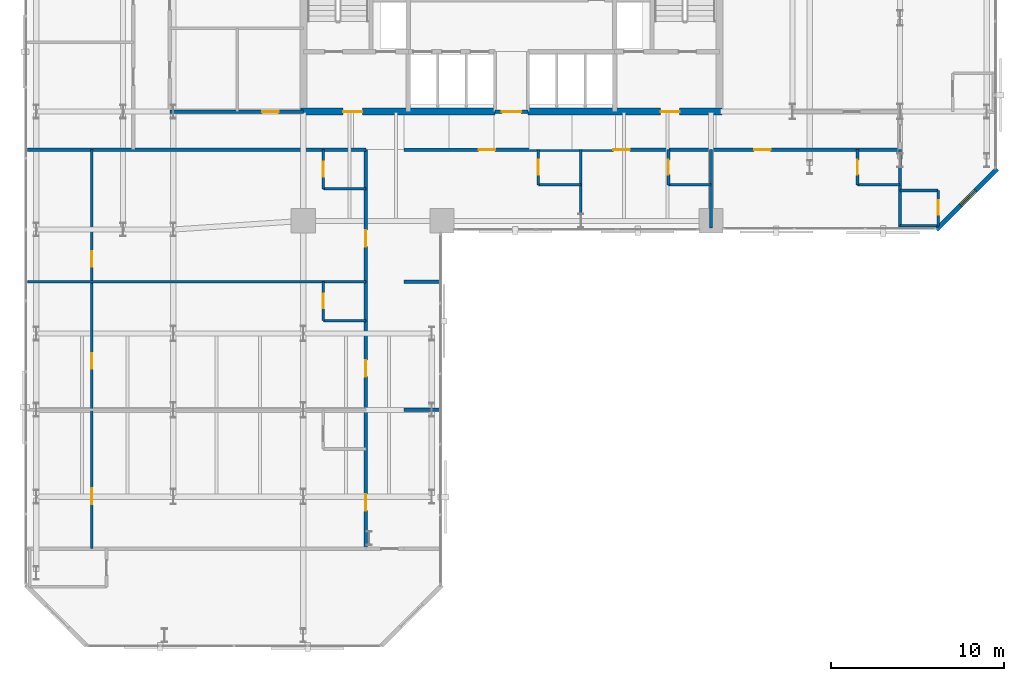
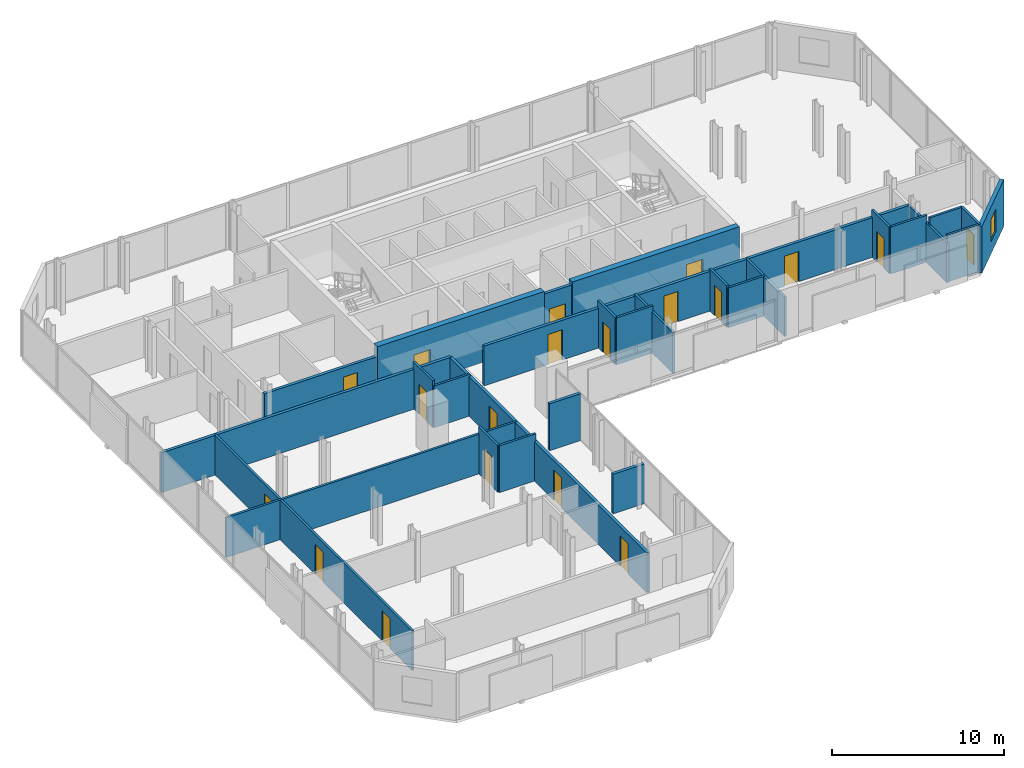
# One storey, part 29 of 33: 28 walls, 19 doors, 1 window, 20 openings.
"""IFC4 building model written with IfcOpenShell, lengths in metres."""

from ifc_helpers import new_model, si_unit, direction, frame, frame_2d, origin, place, context, subcontext, project, spatial, rectangle, extrude, material, layer, layer_set, type_object, element, fill, save


model = new_model("IFC4")

# Units and contexts
model_context = context("Model", 3, precision=1e-05, world=origin(), true_north=direction((0.0, 1.0)))
body_context = subcontext(model_context, "Body", "Model", "MODEL_VIEW")
ifc_project = project(units=[si_unit("LENGTHUNIT", "METRE"), si_unit("AREAUNIT", "SQUARE_METRE"), si_unit("VOLUMEUNIT", "CUBIC_METRE"), si_unit("PLANEANGLEUNIT", "RADIAN"), si_unit("MASSUNIT", "GRAM", prefix="KILO")], contexts=[model_context])

# Site, building, storey
site_placement = place(None, origin())
site = spatial("IfcSite", under=ifc_project, at=site_placement, CompositionType="ELEMENT")
building_placement = place(site_placement, origin())
building = spatial("IfcBuilding", under=site, at=building_placement, Name="Catumbela Crestline Tower", CompositionType="ELEMENT")
storey_placement = place(building_placement, frame((0.0, 0.0, 51.0)))
storey = spatial("IfcBuildingStorey", under=building, at=storey_placement, Name="L12", CompositionType="ELEMENT", Elevation=51.0)

# Wall, opening, door
ifc_material_1 = material(Name="Concrete C60/75", Category="concrete")
ifc_layer_1 = layer(ifc_material_1, 0.4, Name="Concrete C60/75")
ifc_layer_set_1 = layer_set([ifc_layer_1], Name="Concrete C60/75")
wall_type_1 = type_object("IfcWallType", Name="CW-400A", PredefinedType="SHEAR", material=ifc_layer_set_1)
wall_1_placement = place(storey_placement, frame((15.85, 30.8, 0.0), z_axis=(0.0, 0.0, 1.0), x_axis=(1.0, 0.0, 0.0)))
wall_1 = element("IfcWall", 1, at=wall_1_placement, inside=storey, type_object=wall_type_1, Name="L12 Structural Core Shear Wall SW", PredefinedType="SHEAR", context=body_context, shape_type="SweptSolid", body=[
    extrude(rectangle(XDim=11.2, YDim=0.4, at=frame_2d((5.6, 0.0))), origin(), (0.0, 0.0, 1.0), 3.6),
])
opening_1_placement = place(wall_1_placement, frame((2.45, 0.0, 0.0)))
opening_1 = element("IfcOpeningElement", 2, at=opening_1_placement, cuts=wall_1, Name="Opening DF9-110", PredefinedType="OPENING", context=body_context, shape_type="SweptSolid", body=[
    extrude(rectangle(XDim=1.1, YDim=2.15, at=frame_2d((0.55, 1.075))), frame((0.0, 0.21, 0.0), z_axis=(0.0, -1.0, 0.0), x_axis=(1.0, 0.0, 0.0)), (0.0, 0.0, 1.0), 0.42),
])
ifc_material_2 = material(Name="Stainless steel EN 1.4401", Category="steel")
door_type_1 = type_object("IfcDoorType", Name="DF9-110", OperationType="NOTDEFINED", PredefinedType="DOOR", material=ifc_material_2)
door_1_placement = place(opening_1_placement, origin())
door_1 = element("IfcDoor", 3, at=door_1_placement, inside=storey, type_object=door_type_1, Name="L12 Interior Door DR-L12-FFW-S", OperationType="SINGLE_SWING_LEFT", OverallHeight=2.15, OverallWidth=1.1, PredefinedType="DOOR", context=body_context, shape_type="SweptSolid", body=[
    extrude(rectangle(XDim=1.1, YDim=2.15, at=frame_2d((0.55, 1.075))), frame((0.0, 0.025, 0.0), z_axis=(0.0, -1.0, 0.0), x_axis=(1.0, 0.0, 0.0)), (0.0, 0.0, 1.0), 0.05),
])
fill(opening_1, door_1)

wall_2_placement = place(storey_placement, frame((28.95, 30.8, 0.0), z_axis=(0.0, 0.0, 1.0), x_axis=(1.0, 0.0, 0.0)))
wall_2 = element("IfcWall", 4, at=wall_2_placement, inside=storey, type_object=wall_type_1, Name="L12 Structural Core Shear Wall SE", PredefinedType="SHEAR", context=body_context, shape_type="SweptSolid", body=[
    extrude(rectangle(XDim=11.2, YDim=0.4, at=frame_2d((5.6, 0.0))), origin(), (0.0, 0.0, 1.0), 3.6),
])
opening_2_placement = place(wall_2_placement, frame((7.65, 0.0, 0.0)))
opening_2 = element("IfcOpeningElement", 5, at=opening_2_placement, cuts=wall_2, Name="Opening DF9-110", PredefinedType="OPENING", context=body_context, shape_type="SweptSolid", body=[
    extrude(rectangle(XDim=1.1, YDim=2.15, at=frame_2d((0.55, 1.075))), frame((0.0, 0.21, 0.0), z_axis=(0.0, -1.0, 0.0), x_axis=(1.0, 0.0, 0.0)), (0.0, 0.0, 1.0), 0.42),
])
door_2_placement = place(opening_2_placement, origin())
door_2 = element("IfcDoor", 6, at=door_2_placement, inside=storey, type_object=door_type_1, Name="L12 Interior Door DR-L12-FFE-S", OperationType="SINGLE_SWING_RIGHT", OverallHeight=2.15, OverallWidth=1.1, PredefinedType="DOOR", context=body_context, shape_type="SweptSolid", body=[
    extrude(rectangle(XDim=1.1, YDim=2.15, at=frame_2d((0.55, 1.075))), frame((0.0, 0.025, 0.0), z_axis=(0.0, -1.0, 0.0), x_axis=(1.0, 0.0, 0.0)), (0.0, 0.0, 1.0), 0.05),
])
fill(opening_2, door_2)

ifc_material_3 = material(Name="Acoustic gypsum and mineral-wool partition")
ifc_layer_2 = layer(ifc_material_3, 0.2, Name="Acoustic gypsum and mineral-wool partition")
ifc_layer_set_2 = layer_set([ifc_layer_2], Name="Acoustic gypsum and mineral-wool partition")
wall_type_2 = type_object("IfcWallType", Name="WC-200", PredefinedType="PARTITIONING", material=ifc_layer_set_2)
wall_3_placement = place(storey_placement, frame((27.05, 30.8, 0.0), z_axis=(0.0, 0.0, 1.0), x_axis=(1.0, 0.0, 0.0)))
wall_3 = element("IfcWall", 7, at=wall_3_placement, inside=storey, type_object=wall_type_2, Name="L12 Interior Partition PW-L12-CLOBS", PredefinedType="PARTITIONING", context=body_context, shape_type="SweptSolid", body=[
    extrude(rectangle(XDim=1.9, YDim=0.2, at=frame_2d((0.95, 0.0))), origin(), (0.0, 0.0, 1.0), 3.33),
])
opening_3_placement = place(wall_3_placement, frame((0.4, 0.0, 0.0)))
opening_3 = element("IfcOpeningElement", 8, at=opening_3_placement, cuts=wall_3, Name="Opening DF9-110", PredefinedType="OPENING", context=body_context, shape_type="SweptSolid", body=[
    extrude(rectangle(XDim=1.1, YDim=2.15, at=frame_2d((0.55, 1.075))), frame((0.0, 0.11, 0.0), z_axis=(0.0, -1.0, 0.0), x_axis=(1.0, 0.0, 0.0)), (0.0, 0.0, 1.0), 0.22),
])
door_3_placement = place(opening_3_placement, origin())
door_3 = element("IfcDoor", 9, at=door_3_placement, inside=storey, type_object=door_type_1, Name="L12 Interior Door DR-L12-CLOBS", OperationType="SINGLE_SWING_LEFT", OverallHeight=2.15, OverallWidth=1.1, PredefinedType="DOOR", context=body_context, shape_type="SweptSolid", body=[
    extrude(rectangle(XDim=1.1, YDim=2.15, at=frame_2d((0.55, 1.075))), frame((0.0, 0.025, 0.0), z_axis=(0.0, -1.0, 0.0), x_axis=(1.0, 0.0, 0.0)), (0.0, 0.0, 1.0), 0.05),
])
fill(opening_3, door_3)

# Wall
wall_4_placement = place(storey_placement, frame((0.1, 28.6, 0.0), z_axis=(0.0, 0.0, 1.0), x_axis=(1.0, 0.0, 0.0)))
element("IfcWall", 10, at=wall_4_placement, inside=storey, type_object=wall_type_2, Name="L12 Interior Partition PW-L12-CWGL-N", PredefinedType="PARTITIONING", context=body_context, shape_type="SweptSolid", body=[
    extrude(rectangle(XDim=19.5, YDim=0.2, at=frame_2d((9.75, 0.0))), origin(), (0.0, 0.0, 1.0), 2.82),
])

# Wall, openings, doors
wall_5_placement = place(storey_placement, frame((21.8, 28.6, 0.0), z_axis=(0.0, 0.0, 1.0), x_axis=(1.0, 0.0, 0.0)))
wall_5 = element("IfcWall", 11, at=wall_5_placement, inside=storey, type_object=wall_type_2, Name="L12 Interior Partition PW-L12-CWGR-N", PredefinedType="PARTITIONING", context=body_context, shape_type="SweptSolid", body=[
    extrude(rectangle(XDim=28.6, YDim=0.2, at=frame_2d((14.3, 0.0))), origin(), (0.0, 0.0, 1.0), 2.82),
])
opening_4_placement = place(wall_5_placement, frame((4.3, 0.0, 0.0)))
opening_4 = element("IfcOpeningElement", 12, at=opening_4_placement, cuts=wall_5, Name="Opening DF6-095", PredefinedType="OPENING", context=body_context, shape_type="SweptSolid", body=[
    extrude(rectangle(XDim=0.95, YDim=2.15, at=frame_2d((0.475, 1.075))), frame((0.0, 0.11, 0.0), z_axis=(0.0, -1.0, 0.0), x_axis=(1.0, 0.0, 0.0)), (0.0, 0.0, 1.0), 0.22),
])
opening_5_placement = place(wall_5_placement, frame((12.075, 0.0, 0.0)))
opening_5 = element("IfcOpeningElement", 13, at=opening_5_placement, cuts=wall_5, Name="Opening DF6-095", PredefinedType="OPENING", context=body_context, shape_type="SweptSolid", body=[
    extrude(rectangle(XDim=0.95, YDim=2.15, at=frame_2d((0.475, 1.075))), frame((0.0, 0.11, 0.0), z_axis=(0.0, -1.0, 0.0), x_axis=(1.0, 0.0, 0.0)), (0.0, 0.0, 1.0), 0.22),
])
opening_6_placement = place(wall_5_placement, frame((20.1859, 0.0, 0.0)))
opening_6 = element("IfcOpeningElement", 14, at=opening_6_placement, cuts=wall_5, Name="Opening DF6-095", PredefinedType="OPENING", context=body_context, shape_type="SweptSolid", body=[
    extrude(rectangle(XDim=0.95, YDim=2.15, at=frame_2d((0.475, 1.075))), frame((0.0, 0.11, 0.0), z_axis=(0.0, -1.0, 0.0), x_axis=(1.0, 0.0, 0.0)), (0.0, 0.0, 1.0), 0.22),
])
ifc_material_4 = material(Name="Aluminium alloy AW-6060-T66", Category="aluminium")
door_type_2 = type_object("IfcDoorType", Name="DF6-095", OperationType="NOTDEFINED", PredefinedType="DOOR", material=ifc_material_4)
door_4_placement = place(opening_4_placement, origin())
door_4 = element("IfcDoor", 15, at=door_4_placement, inside=storey, type_object=door_type_2, Name="L12 Interior Door DR-L12-K1-ENT", OperationType="SINGLE_SWING_LEFT", OverallHeight=2.15, OverallWidth=0.95, PredefinedType="DOOR", context=body_context, shape_type="SweptSolid", body=[
    extrude(rectangle(XDim=0.95, YDim=2.15, at=frame_2d((0.475, 1.075))), frame((0.0, 0.025, 0.0), z_axis=(0.0, -1.0, 0.0), x_axis=(1.0, 0.0, 0.0)), (0.0, 0.0, 1.0), 0.05),
])
fill(opening_4, door_4)
door_5_placement = place(opening_5_placement, origin())
door_5 = element("IfcDoor", 16, at=door_5_placement, inside=storey, type_object=door_type_2, Name="L12 Interior Door DR-L12-K2-ENT", OperationType="SINGLE_SWING_RIGHT", OverallHeight=2.15, OverallWidth=0.95, PredefinedType="DOOR", context=body_context, shape_type="SweptSolid", body=[
    extrude(rectangle(XDim=0.95, YDim=2.15, at=frame_2d((0.475, 1.075))), frame((0.0, 0.025, 0.0), z_axis=(0.0, -1.0, 0.0), x_axis=(1.0, 0.0, 0.0)), (0.0, 0.0, 1.0), 0.05),
])
fill(opening_5, door_5)
door_6_placement = place(opening_6_placement, origin())
door_6 = element("IfcDoor", 17, at=door_6_placement, inside=storey, type_object=door_type_2, Name="L12 Interior Door DR-L12-K3-ENT", OperationType="SINGLE_SWING_LEFT", OverallHeight=2.15, OverallWidth=0.95, PredefinedType="DOOR", context=body_context, shape_type="SweptSolid", body=[
    extrude(rectangle(XDim=0.95, YDim=2.15, at=frame_2d((0.475, 1.075))), frame((0.0, 0.025, 0.0), z_axis=(0.0, -1.0, 0.0), x_axis=(1.0, 0.0, 0.0)), (0.0, 0.0, 1.0), 0.05),
])
fill(opening_6, door_6)

# Wall, opening, door
wall_6_placement = place(storey_placement, frame((8.3, 30.8, 0.0), z_axis=(0.0, 0.0, 1.0), x_axis=(1.0, 0.0, 0.0)))
wall_6 = element("IfcWall", 18, at=wall_6_placement, inside=storey, type_object=wall_type_2, Name="L12 Interior Partition PW-L12-HK-S", PredefinedType="PARTITIONING", context=body_context, shape_type="SweptSolid", body=[
    extrude(rectangle(XDim=7.7, YDim=0.2, at=frame_2d((3.85, 0.0))), origin(), (0.0, 0.0, 1.0), 2.82),
])
opening_7_placement = place(wall_6_placement, frame((5.325, 0.0, 0.0)))
opening_7 = element("IfcOpeningElement", 19, at=opening_7_placement, cuts=wall_6, Name="Opening DF6-095", PredefinedType="OPENING", context=body_context, shape_type="SweptSolid", body=[
    extrude(rectangle(XDim=0.95, YDim=2.15, at=frame_2d((0.475, 1.075))), frame((0.0, 0.11, 0.0), z_axis=(0.0, -1.0, 0.0), x_axis=(1.0, 0.0, 0.0)), (0.0, 0.0, 1.0), 0.22),
])
door_7_placement = place(opening_7_placement, origin())
door_7 = element("IfcDoor", 20, at=door_7_placement, inside=storey, type_object=door_type_2, Name="L12 Interior Door DR-L12-HKP", OperationType="SINGLE_SWING_LEFT", OverallHeight=2.15, OverallWidth=0.95, PredefinedType="DOOR", context=body_context, shape_type="SweptSolid", body=[
    extrude(rectangle(XDim=0.95, YDim=2.15, at=frame_2d((0.475, 1.075))), frame((0.0, 0.025, 0.0), z_axis=(0.0, -1.0, 0.0), x_axis=(1.0, 0.0, 0.0)), (0.0, 0.0, 1.0), 0.05),
])
fill(opening_7, door_7)

# Wall, openings, doors
wall_7_placement = place(storey_placement, frame((19.6, 5.6, 0.0), z_axis=(0.0, 0.0, 1.0), x_axis=(0.0, 1.0, 0.0)))
wall_7 = element("IfcWall", 21, at=wall_7_placement, inside=storey, type_object=wall_type_2, Name="L12 Interior Partition PW-L12-WL1-ENT", PredefinedType="PARTITIONING", context=body_context, shape_type="SweptSolid", body=[
    extrude(rectangle(XDim=23.0, YDim=0.2, at=frame_2d((11.5, 0.0))), origin(), (0.0, 0.0, 1.0), 2.82),
])
opening_8_placement = place(wall_7_placement, frame((2.19, 0.0, 0.0)))
opening_8 = element("IfcOpeningElement", 22, at=opening_8_placement, cuts=wall_7, Name="Opening DF6-095", PredefinedType="OPENING", context=body_context, shape_type="SweptSolid", body=[
    extrude(rectangle(XDim=0.95, YDim=2.15, at=frame_2d((0.475, 1.075))), frame((0.0, 0.11, 0.0), z_axis=(0.0, -1.0, 0.0), x_axis=(1.0, 0.0, 0.0)), (0.0, 0.0, 1.0), 0.22),
])
opening_9_placement = place(wall_7_placement, frame((9.92, 0.0, 0.0)))
opening_9 = element("IfcOpeningElement", 23, at=opening_9_placement, cuts=wall_7, Name="Opening DF6-095", PredefinedType="OPENING", context=body_context, shape_type="SweptSolid", body=[
    extrude(rectangle(XDim=0.95, YDim=2.15, at=frame_2d((0.475, 1.075))), frame((0.0, 0.11, 0.0), z_axis=(0.0, -1.0, 0.0), x_axis=(1.0, 0.0, 0.0)), (0.0, 0.0, 1.0), 0.22),
])
opening_10_placement = place(wall_7_placement, frame((17.41, 0.0, 0.0)))
opening_10 = element("IfcOpeningElement", 24, at=opening_10_placement, cuts=wall_7, Name="Opening DF6-095", PredefinedType="OPENING", context=body_context, shape_type="SweptSolid", body=[
    extrude(rectangle(XDim=0.95, YDim=2.15, at=frame_2d((0.475, 1.075))), frame((0.0, 0.11, 0.0), z_axis=(0.0, -1.0, 0.0), x_axis=(1.0, 0.0, 0.0)), (0.0, 0.0, 1.0), 0.22),
])
door_8_placement = place(opening_8_placement, origin())
door_8 = element("IfcDoor", 25, at=door_8_placement, inside=storey, type_object=door_type_2, Name="L12 Interior Door DR-L12-WL1-ENT", OperationType="SINGLE_SWING_LEFT", OverallHeight=2.15, OverallWidth=0.95, PredefinedType="DOOR", context=body_context, shape_type="SweptSolid", body=[
    extrude(rectangle(XDim=0.95, YDim=2.15, at=frame_2d((0.475, 1.075))), frame((0.0, 0.025, 0.0), z_axis=(0.0, -1.0, 0.0), x_axis=(1.0, 0.0, 0.0)), (0.0, 0.0, 1.0), 0.05),
])
fill(opening_8, door_8)
door_9_placement = place(opening_9_placement, origin())
door_9 = element("IfcDoor", 26, at=door_9_placement, inside=storey, type_object=door_type_2, Name="L12 Interior Door DR-L12-WL2-ENT", OperationType="SINGLE_SWING_RIGHT", OverallHeight=2.15, OverallWidth=0.95, PredefinedType="DOOR", context=body_context, shape_type="SweptSolid", body=[
    extrude(rectangle(XDim=0.95, YDim=2.15, at=frame_2d((0.475, 1.075))), frame((0.0, 0.025, 0.0), z_axis=(0.0, -1.0, 0.0), x_axis=(1.0, 0.0, 0.0)), (0.0, 0.0, 1.0), 0.05),
])
fill(opening_9, door_9)
door_10_placement = place(opening_10_placement, origin())
door_10 = element("IfcDoor", 27, at=door_10_placement, inside=storey, type_object=door_type_2, Name="L12 Interior Door DR-L12-WL3-ENT", OperationType="SINGLE_SWING_LEFT", OverallHeight=2.15, OverallWidth=0.95, PredefinedType="DOOR", context=body_context, shape_type="SweptSolid", body=[
    extrude(rectangle(XDim=0.95, YDim=2.15, at=frame_2d((0.475, 1.075))), frame((0.0, 0.025, 0.0), z_axis=(0.0, -1.0, 0.0), x_axis=(1.0, 0.0, 0.0)), (0.0, 0.0, 1.0), 0.05),
])
fill(opening_10, door_10)

# Wall, opening, window
ifc_material_5 = material(Name="Angolan grey-ochre granite", Category="masonry")
ifc_layer_3 = layer(ifc_material_5, 0.25, Name="Angolan grey-ochre granite")
ifc_layer_set_3 = layer_set([ifc_layer_3], Name="Angolan grey-ochre granite")
wall_type_3 = type_object("IfcWallType", Name="WE-250", PredefinedType="STANDARD", material=ifc_layer_set_3)
wall_8_placement = place(storey_placement, frame((52.5, 24.0, 0.0), z_axis=(0.0, 0.0, 1.0), x_axis=(0.707106781187, 0.707106781187, 0.0)))
wall_8 = element("IfcWall", 28, at=wall_8_placement, inside=storey, type_object=wall_type_3, Name="L12 Granite Punched Window Wall 4-1", PredefinedType="STANDARD", context=body_context, shape_type="SweptSolid", body=[
    extrude(rectangle(XDim=4.9497, YDim=0.25, at=frame_2d((2.4748, 0.0))), origin(), (0.0, 0.0, 1.0), 3.33),
])
opening_11_placement = place(wall_8_placement, frame((1.9851, 0.0, 0.85)))
opening_11 = element("IfcOpeningElement", 29, at=opening_11_placement, cuts=wall_8, Name="Opening WN-02", PredefinedType="OPENING", context=body_context, shape_type="SweptSolid", body=[
    extrude(rectangle(XDim=1.2, YDim=1.6, at=frame_2d((0.6, 0.8))), frame((0.0, 0.135, 0.0), z_axis=(0.0, -1.0, 0.0), x_axis=(1.0, 0.0, 0.0)), (0.0, 0.0, 1.0), 0.27),
])
ifc_material_6 = material(Name="Low-E laminated solar-control double glazing", Category="glass")
window_type = type_object("IfcWindowType", Name="WO-1200", PartitioningType="SINGLE_PANEL", PredefinedType="WINDOW", material=ifc_material_6)
window_placement = place(opening_11_placement, origin())
window = element("IfcWindow", 30, at=window_placement, inside=storey, type_object=window_type, Name="L12 Facade Vision Window 84", OverallHeight=1.6, OverallWidth=1.2, PartitioningType="SINGLE_PANEL", PredefinedType="WINDOW", context=body_context, shape_type="SweptSolid", body=[
    extrude(rectangle(XDim=1.2, YDim=1.6, at=frame_2d((0.6, 0.8))), frame((0.0, 0.03, 0.0), z_axis=(0.0, -1.0, 0.0), x_axis=(1.0, 0.0, 0.0)), (0.0, 0.0, 1.0), 0.06),
])
fill(opening_11, window)

# Wall
ifc_layer_4 = layer(ifc_material_3, 0.15, Name="Acoustic gypsum and mineral-wool partition")
ifc_layer_set_4 = layer_set([ifc_layer_4], Name="Acoustic gypsum and mineral-wool partition")
wall_type_4 = type_object("IfcWallType", Name="WP-150", PredefinedType="PARTITIONING", material=ifc_layer_set_4)
wall_9_placement = place(storey_placement, frame((29.55, 26.576, 0.0), z_axis=(0.0, 0.0, 1.0), x_axis=(1.0, 0.0, 0.0)))
element("IfcWall", 31, at=wall_9_placement, inside=storey, type_object=wall_type_4, Name="L12 Interior Partition PW-L12-K1-BHW", PredefinedType="PARTITIONING", context=body_context, shape_type="SweptSolid", body=[
    extrude(rectangle(XDim=2.45, YDim=0.15, at=frame_2d((1.225, 0.0))), origin(), (0.0, 0.0, 1.0), 3.33),
])

# Wall, opening, door
wall_10_placement = place(storey_placement, frame((29.55, 26.576, 0.0), z_axis=(0.0, 0.0, 1.0), x_axis=(0.0, 1.0, 0.0)))
wall_10 = element("IfcWall", 32, at=wall_10_placement, inside=storey, type_object=wall_type_4, Name="L12 Interior Partition PW-L12-K1-BWW", PredefinedType="PARTITIONING", context=body_context, shape_type="SweptSolid", body=[
    extrude(rectangle(XDim=2.024, YDim=0.15, at=frame_2d((1.012, 0.0))), origin(), (0.0, 0.0, 1.0), 3.33),
])
opening_12_placement = place(wall_10_placement, frame((0.587, 0.0, 0.0)))
opening_12 = element("IfcOpeningElement", 33, at=opening_12_placement, cuts=wall_10, Name="Opening DI-085", PredefinedType="OPENING", context=body_context, shape_type="SweptSolid", body=[
    extrude(rectangle(XDim=0.85, YDim=2.15, at=frame_2d((0.425, 1.075))), frame((0.0, 0.085, 0.0), z_axis=(0.0, -1.0, 0.0), x_axis=(1.0, 0.0, 0.0)), (0.0, 0.0, 1.0), 0.17),
])
door_type_3 = type_object("IfcDoorType", Name="DI-085", OperationType="NOTDEFINED", PredefinedType="DOOR", material=ifc_material_4)
door_11_placement = place(opening_12_placement, origin())
door_11 = element("IfcDoor", 34, at=door_11_placement, inside=storey, type_object=door_type_3, Name="L12 Interior Door DR-L12-K1-BTH", OperationType="SINGLE_SWING_RIGHT", OverallHeight=2.15, OverallWidth=0.85, PredefinedType="DOOR", context=body_context, shape_type="SweptSolid", body=[
    extrude(rectangle(XDim=0.85, YDim=2.15, at=frame_2d((0.425, 1.075))), frame((0.0, 0.025, 0.0), z_axis=(0.0, -1.0, 0.0), x_axis=(1.0, 0.0, 0.0)), (0.0, 0.0, 1.0), 0.05),
])
fill(opening_12, door_11)

# Walls
wall_11_placement = place(storey_placement, frame((32.0, 28.6, 0.0), z_axis=(0.0, 0.0, 1.0), x_axis=(0.0, -1.0, 0.0)))
element("IfcWall", 35, at=wall_11_placement, inside=storey, type_object=wall_type_4, Name="L12 Interior Partition PW-L12-K1-BCL-2", PredefinedType="PARTITIONING", context=body_context, shape_type="SweptSolid", body=[
    extrude(rectangle(XDim=4.5, YDim=0.15, at=frame_2d((2.25, 0.0))), origin(), (0.0, 0.0, 1.0), 2.93),
])
wall_12_placement = place(storey_placement, frame((37.05, 26.576, 0.0), z_axis=(0.0, 0.0, 1.0), x_axis=(1.0, 0.0, 0.0)))
element("IfcWall", 36, at=wall_12_placement, inside=storey, type_object=wall_type_4, Name="L12 Interior Partition PW-L12-K2-BHW", PredefinedType="PARTITIONING", context=body_context, shape_type="SweptSolid", body=[
    extrude(rectangle(XDim=2.45, YDim=0.15, at=frame_2d((1.225, 0.0))), origin(), (0.0, 0.0, 1.0), 2.82),
])

# Wall, opening, door
wall_13_placement = place(storey_placement, frame((37.05, 26.576, 0.0), z_axis=(0.0, 0.0, 1.0), x_axis=(0.0, 1.0, 0.0)))
wall_13 = element("IfcWall", 37, at=wall_13_placement, inside=storey, type_object=wall_type_4, Name="L12 Interior Partition PW-L12-K2-BWW", PredefinedType="PARTITIONING", context=body_context, shape_type="SweptSolid", body=[
    extrude(rectangle(XDim=2.024, YDim=0.15, at=frame_2d((1.012, 0.0))), origin(), (0.0, 0.0, 1.0), 2.96),
])
opening_13_placement = place(wall_13_placement, frame((0.587, 0.0, 0.0)))
opening_13 = element("IfcOpeningElement", 38, at=opening_13_placement, cuts=wall_13, Name="Opening DI-085", PredefinedType="OPENING", context=body_context, shape_type="SweptSolid", body=[
    extrude(rectangle(XDim=0.85, YDim=2.15, at=frame_2d((0.425, 1.075))), frame((0.0, 0.085, 0.0), z_axis=(0.0, -1.0, 0.0), x_axis=(1.0, 0.0, 0.0)), (0.0, 0.0, 1.0), 0.17),
])
door_12_placement = place(opening_13_placement, origin())
door_12 = element("IfcDoor", 39, at=door_12_placement, inside=storey, type_object=door_type_3, Name="L12 Interior Door DR-L12-K2-BTH", OperationType="SINGLE_SWING_RIGHT", OverallHeight=2.15, OverallWidth=0.85, PredefinedType="DOOR", context=body_context, shape_type="SweptSolid", body=[
    extrude(rectangle(XDim=0.85, YDim=2.15, at=frame_2d((0.425, 1.075))), frame((0.0, 0.025, 0.0), z_axis=(0.0, -1.0, 0.0), x_axis=(1.0, 0.0, 0.0)), (0.0, 0.0, 1.0), 0.05),
])
fill(opening_13, door_12)

# Walls
wall_14_placement = place(storey_placement, frame((39.5, 28.6, 0.0), z_axis=(0.0, 0.0, 1.0), x_axis=(0.0, -1.0, 0.0)))
element("IfcWall", 40, at=wall_14_placement, inside=storey, type_object=wall_type_4, Name="L12 Interior Partition PW-L12-K2-BCL-2", PredefinedType="PARTITIONING", context=body_context, shape_type="SweptSolid", body=[
    extrude(rectangle(XDim=4.5, YDim=0.15, at=frame_2d((2.25, 0.0))), origin(), (0.0, 0.0, 1.0), 2.82),
])
wall_15_placement = place(storey_placement, frame((47.95, 26.576, 0.0), z_axis=(0.0, 0.0, 1.0), x_axis=(1.0, 0.0, 0.0)))
element("IfcWall", 41, at=wall_15_placement, inside=storey, type_object=wall_type_4, Name="L12 Interior Partition PW-L12-K3-BHW", PredefinedType="PARTITIONING", context=body_context, shape_type="SweptSolid", body=[
    extrude(rectangle(XDim=2.45, YDim=0.15, at=frame_2d((1.225, 0.0))), origin(), (0.0, 0.0, 1.0), 3.33),
])

# Wall, opening, door
wall_16_placement = place(storey_placement, frame((47.95, 26.576, 0.0), z_axis=(0.0, 0.0, 1.0), x_axis=(0.0, 1.0, 0.0)))
wall_16 = element("IfcWall", 42, at=wall_16_placement, inside=storey, type_object=wall_type_4, Name="L12 Interior Partition PW-L12-K3-BWW", PredefinedType="PARTITIONING", context=body_context, shape_type="SweptSolid", body=[
    extrude(rectangle(XDim=2.024, YDim=0.15, at=frame_2d((1.012, 0.0))), origin(), (0.0, 0.0, 1.0), 3.33),
])
opening_14_placement = place(wall_16_placement, frame((0.587, 0.0, 0.0)))
opening_14 = element("IfcOpeningElement", 43, at=opening_14_placement, cuts=wall_16, Name="Opening DI-085", PredefinedType="OPENING", context=body_context, shape_type="SweptSolid", body=[
    extrude(rectangle(XDim=0.85, YDim=2.15, at=frame_2d((0.425, 1.075))), frame((0.0, 0.085, 0.0), z_axis=(0.0, -1.0, 0.0), x_axis=(1.0, 0.0, 0.0)), (0.0, 0.0, 1.0), 0.17),
])
door_13_placement = place(opening_14_placement, origin())
door_13 = element("IfcDoor", 44, at=door_13_placement, inside=storey, type_object=door_type_3, Name="L12 Interior Door DR-L12-K3-BTH", OperationType="SINGLE_SWING_RIGHT", OverallHeight=2.15, OverallWidth=0.85, PredefinedType="DOOR", context=body_context, shape_type="SweptSolid", body=[
    extrude(rectangle(XDim=0.85, YDim=2.15, at=frame_2d((0.425, 1.075))), frame((0.0, 0.025, 0.0), z_axis=(0.0, -1.0, 0.0), x_axis=(1.0, 0.0, 0.0)), (0.0, 0.0, 1.0), 0.05),
])
fill(opening_14, door_13)

# Walls
wall_17_placement = place(storey_placement, frame((50.4, 28.6, 0.0), z_axis=(0.0, 0.0, 1.0), x_axis=(0.0, -1.0, 0.0)))
element("IfcWall", 45, at=wall_17_placement, inside=storey, type_object=wall_type_4, Name="L12 Interior Partition PW-L12-K3-BCL-2", PredefinedType="PARTITIONING", context=body_context, shape_type="SweptSolid", body=[
    extrude(rectangle(XDim=4.5, YDim=0.15, at=frame_2d((2.25, 0.0))), origin(), (0.0, 0.0, 1.0), 2.82),
])
wall_18_placement = place(storey_placement, frame((50.4, 26.25, 0.0), z_axis=(0.0, 0.0, 1.0), x_axis=(1.0, 0.0, 0.0)))
element("IfcWall", 46, at=wall_18_placement, inside=storey, type_object=wall_type_4, Name="L12 Interior Partition PW-L12-NESE-BNW", PredefinedType="PARTITIONING", context=body_context, shape_type="SweptSolid", body=[
    extrude(rectangle(XDim=2.2, YDim=0.15, at=frame_2d((1.1, 0.0))), origin(), (0.0, 0.0, 1.0), 3.33),
])

# Wall, opening, door
wall_19_placement = place(storey_placement, frame((52.6, 24.2, 0.0), z_axis=(0.0, 0.0, 1.0), x_axis=(0.0, 1.0, 0.0)))
wall_19 = element("IfcWall", 47, at=wall_19_placement, inside=storey, type_object=wall_type_4, Name="L12 Interior Partition PW-L12-NESE-BEW", PredefinedType="PARTITIONING", context=body_context, shape_type="SweptSolid", body=[
    extrude(rectangle(XDim=2.05, YDim=0.15, at=frame_2d((1.025, 0.0))), origin(), (0.0, 0.0, 1.0), 3.33),
])
opening_15_placement = place(wall_19_placement, frame((0.6514, 0.0, 0.0)))
opening_15 = element("IfcOpeningElement", 48, at=opening_15_placement, cuts=wall_19, Name="Opening DI-085", PredefinedType="OPENING", context=body_context, shape_type="SweptSolid", body=[
    extrude(rectangle(XDim=0.85, YDim=2.15, at=frame_2d((0.425, 1.075))), frame((0.0, 0.085, 0.0), z_axis=(0.0, -1.0, 0.0), x_axis=(1.0, 0.0, 0.0)), (0.0, 0.0, 1.0), 0.17),
])
door_14_placement = place(opening_15_placement, origin())
door_14 = element("IfcDoor", 49, at=door_14_placement, inside=storey, type_object=door_type_3, Name="L12 Interior Door DR-L12-NESE-BTH", OperationType="SINGLE_SWING_LEFT", OverallHeight=2.15, OverallWidth=0.85, PredefinedType="DOOR", context=body_context, shape_type="SweptSolid", body=[
    extrude(rectangle(XDim=0.85, YDim=2.15, at=frame_2d((0.425, 1.075))), frame((0.0, 0.025, 0.0), z_axis=(0.0, -1.0, 0.0), x_axis=(1.0, 0.0, 0.0)), (0.0, 0.0, 1.0), 0.05),
])
fill(opening_15, door_14)

# Wall
wall_20_placement = place(storey_placement, frame((52.62, 24.22, 0.0), z_axis=(0.0, 0.0, 1.0), x_axis=(-1.0, 0.0, 0.0)))
element("IfcWall", 50, at=wall_20_placement, inside=storey, type_object=wall_type_4, Name="L12 Interior Partition PW-L12-NESE-BCL-3", PredefinedType="PARTITIONING", context=body_context, shape_type="SweptSolid", body=[
    extrude(rectangle(XDim=2.22, YDim=0.15, at=frame_2d((1.11, 0.0))), origin(), (0.0, 0.0, 1.0), 3.33),
])

# Wall, openings, doors
wall_21_placement = place(storey_placement, frame((3.8, 5.6, 0.0), z_axis=(0.0, 0.0, 1.0), x_axis=(0.0, 1.0, 0.0)))
wall_21 = element("IfcWall", 51, at=wall_21_placement, inside=storey, type_object=wall_type_4, Name="L12 Interior Partition PW-L12-WL1-SBD", PredefinedType="PARTITIONING", context=body_context, shape_type="SweptSolid", body=[
    extrude(rectangle(XDim=23.0, YDim=0.15, at=frame_2d((11.5, 0.0))), origin(), (0.0, 0.0, 1.0), 2.82),
])
opening_16_placement = place(wall_21_placement, frame((2.575, 0.0, 0.0)))
opening_16 = element("IfcOpeningElement", 52, at=opening_16_placement, cuts=wall_21, Name="Opening DI-090", PredefinedType="OPENING", context=body_context, shape_type="SweptSolid", body=[
    extrude(rectangle(XDim=0.9, YDim=2.15, at=frame_2d((0.45, 1.075))), frame((0.0, 0.085, 0.0), z_axis=(0.0, -1.0, 0.0), x_axis=(1.0, 0.0, 0.0)), (0.0, 0.0, 1.0), 0.17),
])
opening_17_placement = place(wall_21_placement, frame((10.365, 0.0, 0.0)))
opening_17 = element("IfcOpeningElement", 53, at=opening_17_placement, cuts=wall_21, Name="Opening DI-090", PredefinedType="OPENING", context=body_context, shape_type="SweptSolid", body=[
    extrude(rectangle(XDim=0.9, YDim=2.15, at=frame_2d((0.45, 1.075))), frame((0.0, 0.085, 0.0), z_axis=(0.0, -1.0, 0.0), x_axis=(1.0, 0.0, 0.0)), (0.0, 0.0, 1.0), 0.17),
])
opening_18_placement = place(wall_21_placement, frame((16.26, 0.0, 0.0)))
opening_18 = element("IfcOpeningElement", 54, at=opening_18_placement, cuts=wall_21, Name="Opening DI-090", PredefinedType="OPENING", context=body_context, shape_type="SweptSolid", body=[
    extrude(rectangle(XDim=0.9, YDim=2.15, at=frame_2d((0.45, 1.075))), frame((0.0, 0.085, 0.0), z_axis=(0.0, -1.0, 0.0), x_axis=(1.0, 0.0, 0.0)), (0.0, 0.0, 1.0), 0.17),
])
door_type_4 = type_object("IfcDoorType", Name="DI-090", OperationType="NOTDEFINED", PredefinedType="DOOR", material=ifc_material_4)
door_15_placement = place(opening_16_placement, origin())
door_15 = element("IfcDoor", 55, at=door_15_placement, inside=storey, type_object=door_type_4, Name="L12 Interior Door DR-L12-WL1-SBD", OperationType="SINGLE_SWING_LEFT", OverallHeight=2.15, OverallWidth=0.9, PredefinedType="DOOR", context=body_context, shape_type="SweptSolid", body=[
    extrude(rectangle(XDim=0.9, YDim=2.15, at=frame_2d((0.45, 1.075))), frame((0.0, 0.025, 0.0), z_axis=(0.0, -1.0, 0.0), x_axis=(1.0, 0.0, 0.0)), (0.0, 0.0, 1.0), 0.05),
])
fill(opening_16, door_15)
door_16_placement = place(opening_17_placement, origin())
door_16 = element("IfcDoor", 56, at=door_16_placement, inside=storey, type_object=door_type_4, Name="L12 Interior Door DR-L12-WL2-SBD", OperationType="SINGLE_SWING_LEFT", OverallHeight=2.15, OverallWidth=0.9, PredefinedType="DOOR", context=body_context, shape_type="SweptSolid", body=[
    extrude(rectangle(XDim=0.9, YDim=2.15, at=frame_2d((0.45, 1.075))), frame((0.0, 0.025, 0.0), z_axis=(0.0, -1.0, 0.0), x_axis=(1.0, 0.0, 0.0)), (0.0, 0.0, 1.0), 0.05),
])
fill(opening_17, door_16)
door_17_placement = place(opening_18_placement, origin())
door_17 = element("IfcDoor", 57, at=door_17_placement, inside=storey, type_object=door_type_4, Name="L12 Interior Door DR-L12-WL3-SBD", OperationType="SINGLE_SWING_LEFT", OverallHeight=2.15, OverallWidth=0.9, PredefinedType="DOOR", context=body_context, shape_type="SweptSolid", body=[
    extrude(rectangle(XDim=0.9, YDim=2.15, at=frame_2d((0.45, 1.075))), frame((0.0, 0.025, 0.0), z_axis=(0.0, -1.0, 0.0), x_axis=(1.0, 0.0, 0.0)), (0.0, 0.0, 1.0), 0.05),
])
fill(opening_18, door_17)

# Wall
wall_22_placement = place(storey_placement, frame((17.15, 18.75, 0.0), z_axis=(0.0, 0.0, 1.0), x_axis=(1.0, 0.0, 0.0)))
element("IfcWall", 58, at=wall_22_placement, inside=storey, type_object=wall_type_4, Name="L12 Interior Partition PW-L12-WL2-BSW", PredefinedType="PARTITIONING", context=body_context, shape_type="SweptSolid", body=[
    extrude(rectangle(XDim=2.45, YDim=0.15, at=frame_2d((1.225, 0.0))), origin(), (0.0, 0.0, 1.0), 3.33),
])

# Wall, opening, door
wall_23_placement = place(storey_placement, frame((17.15, 18.75, 0.0), z_axis=(0.0, 0.0, 1.0), x_axis=(0.0, 1.0, 0.0)))
wall_23 = element("IfcWall", 59, at=wall_23_placement, inside=storey, type_object=wall_type_4, Name="L12 Interior Partition PW-L12-WL2-BWW", PredefinedType="PARTITIONING", context=body_context, shape_type="SweptSolid", body=[
    extrude(rectangle(XDim=2.25, YDim=0.15, at=frame_2d((1.125, 0.0))), origin(), (0.0, 0.0, 1.0), 3.33),
])
opening_19_placement = place(wall_23_placement, frame((0.7, 0.0, 0.0)))
opening_19 = element("IfcOpeningElement", 60, at=opening_19_placement, cuts=wall_23, Name="Opening DI-085", PredefinedType="OPENING", context=body_context, shape_type="SweptSolid", body=[
    extrude(rectangle(XDim=0.85, YDim=2.15, at=frame_2d((0.425, 1.075))), frame((0.0, 0.085, 0.0), z_axis=(0.0, -1.0, 0.0), x_axis=(1.0, 0.0, 0.0)), (0.0, 0.0, 1.0), 0.17),
])
door_18_placement = place(opening_19_placement, origin())
door_18 = element("IfcDoor", 61, at=door_18_placement, inside=storey, type_object=door_type_3, Name="L12 Interior Door DR-L12-WL2-BTH", OperationType="SINGLE_SWING_RIGHT", OverallHeight=2.15, OverallWidth=0.85, PredefinedType="DOOR", context=body_context, shape_type="SweptSolid", body=[
    extrude(rectangle(XDim=0.85, YDim=2.15, at=frame_2d((0.425, 1.075))), frame((0.0, 0.025, 0.0), z_axis=(0.0, -1.0, 0.0), x_axis=(1.0, 0.0, 0.0)), (0.0, 0.0, 1.0), 0.05),
])
fill(opening_19, door_18)

# Walls
wall_24_placement = place(storey_placement, frame((0.1, 21.0, 0.0), z_axis=(0.0, 0.0, 1.0), x_axis=(1.0, 0.0, 0.0)))
element("IfcWall", 62, at=wall_24_placement, inside=storey, type_object=wall_type_4, Name="L12 Interior Partition PW-L12-WL2-BCL-1", PredefinedType="PARTITIONING", context=body_context, shape_type="SweptSolid", body=[
    extrude(rectangle(XDim=19.5, YDim=0.15, at=frame_2d((9.75, 0.0))), origin(), (0.0, 0.0, 1.0), 2.82),
])
wall_25_placement = place(storey_placement, frame((17.15, 26.35, 0.0), z_axis=(0.0, 0.0, 1.0), x_axis=(1.0, 0.0, 0.0)))
element("IfcWall", 63, at=wall_25_placement, inside=storey, type_object=wall_type_4, Name="L12 Interior Partition PW-L12-WL3-BSW", PredefinedType="PARTITIONING", context=body_context, shape_type="SweptSolid", body=[
    extrude(rectangle(XDim=2.45, YDim=0.15, at=frame_2d((1.225, 0.0))), origin(), (0.0, 0.0, 1.0), 2.96),
])

# Wall, opening, door
wall_26_placement = place(storey_placement, frame((17.15, 26.35, 0.0), z_axis=(0.0, 0.0, 1.0), x_axis=(0.0, 1.0, 0.0)))
wall_26 = element("IfcWall", 64, at=wall_26_placement, inside=storey, type_object=wall_type_4, Name="L12 Interior Partition PW-L12-WL3-BWW", PredefinedType="PARTITIONING", context=body_context, shape_type="SweptSolid", body=[
    extrude(rectangle(XDim=2.25, YDim=0.15, at=frame_2d((1.125, 0.0))), origin(), (0.0, 0.0, 1.0), 3.33),
])
opening_20_placement = place(wall_26_placement, frame((0.7, 0.0, 0.0)))
opening_20 = element("IfcOpeningElement", 65, at=opening_20_placement, cuts=wall_26, Name="Opening DI-085", PredefinedType="OPENING", context=body_context, shape_type="SweptSolid", body=[
    extrude(rectangle(XDim=0.85, YDim=2.15, at=frame_2d((0.425, 1.075))), frame((0.0, 0.085, 0.0), z_axis=(0.0, -1.0, 0.0), x_axis=(1.0, 0.0, 0.0)), (0.0, 0.0, 1.0), 0.17),
])
door_19_placement = place(opening_20_placement, origin())
door_19 = element("IfcDoor", 66, at=door_19_placement, inside=storey, type_object=door_type_3, Name="L12 Interior Door DR-L12-WL3-BTH", OperationType="SINGLE_SWING_RIGHT", OverallHeight=2.15, OverallWidth=0.85, PredefinedType="DOOR", context=body_context, shape_type="SweptSolid", body=[
    extrude(rectangle(XDim=0.85, YDim=2.15, at=frame_2d((0.425, 1.075))), frame((0.0, 0.025, 0.0), z_axis=(0.0, -1.0, 0.0), x_axis=(1.0, 0.0, 0.0)), (0.0, 0.0, 1.0), 0.05),
])
fill(opening_20, door_19)

# Walls
ifc_layer_5 = layer(ifc_material_3, 0.2, Name="Acoustic gypsum and mineral-wool partition")
ifc_layer_set_5 = layer_set([ifc_layer_5], Name="Acoustic gypsum and mineral-wool partition")
wall_type_5 = type_object("IfcWallType", Name="WY-200", PredefinedType="PARTITIONING", material=ifc_layer_set_5)
wall_27_placement = place(storey_placement, frame((21.8, 13.6, 0.0), z_axis=(0.0, 0.0, 1.0), x_axis=(1.0, 0.0, 0.0)))
element("IfcWall", 67, at=wall_27_placement, inside=storey, type_object=wall_type_5, Name="L12 Interior Partition PW-L12-WGRP-2", PredefinedType="PARTITIONING", context=body_context, shape_type="SweptSolid", body=[
    extrude(rectangle(XDim=2.1, YDim=0.2, at=frame_2d((1.05, 0.0))), origin(), (0.0, 0.0, 1.0), 2.82),
])
wall_28_placement = place(storey_placement, frame((21.8, 21.0, 0.0), z_axis=(0.0, 0.0, 1.0), x_axis=(1.0, 0.0, 0.0)))
element("IfcWall", 68, at=wall_28_placement, inside=storey, type_object=wall_type_5, Name="L12 Interior Partition PW-L12-WGRP-3", PredefinedType="PARTITIONING", context=body_context, shape_type="SweptSolid", body=[
    extrude(rectangle(XDim=2.1, YDim=0.2, at=frame_2d((1.05, 0.0))), origin(), (0.0, 0.0, 1.0), 3.33),
])

save(model, "model.ifc")
